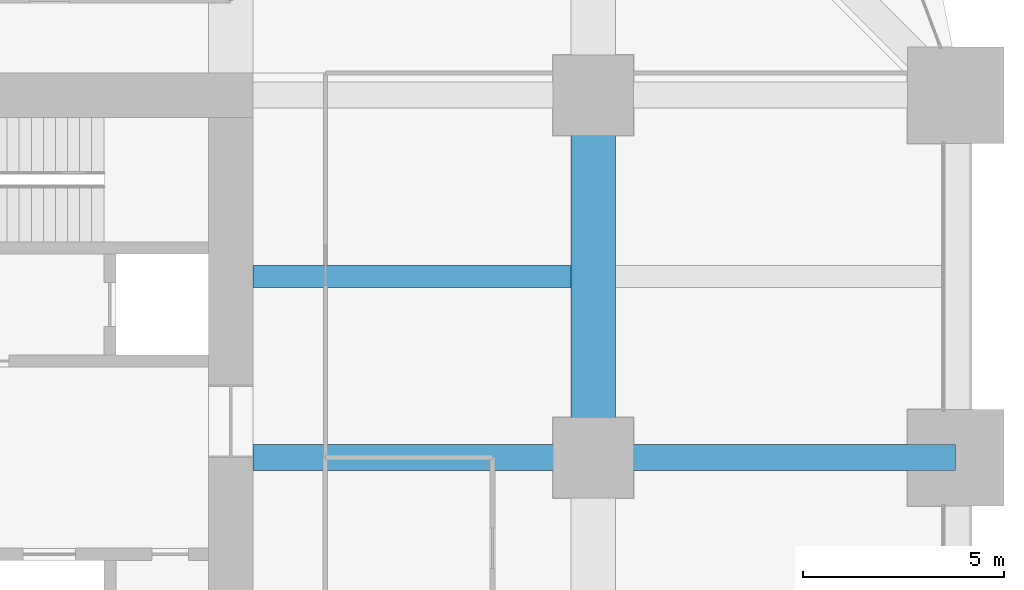
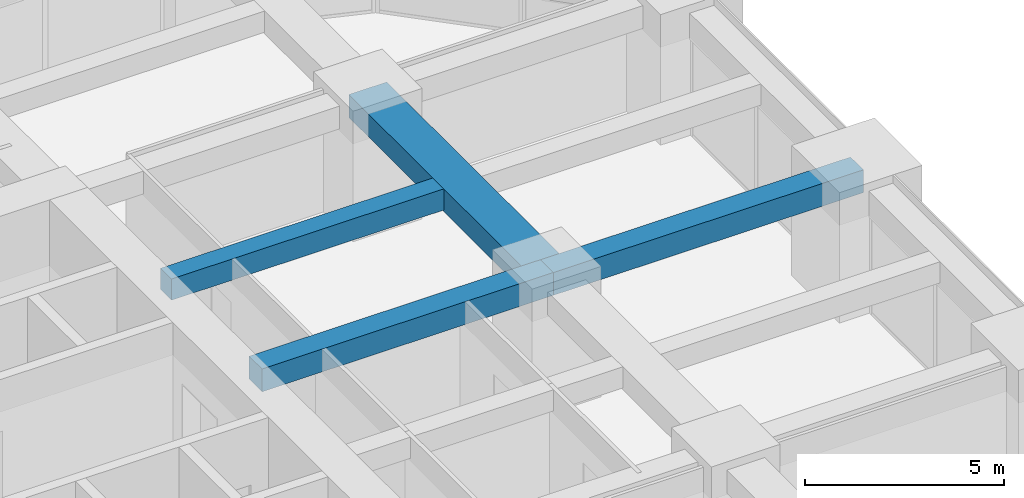
# One storey, part 22 of 39: 4 beams.
"""IFC4 building model written with IfcOpenShell, lengths in metres."""

from ifc_helpers import new_model, si_unit, direction, frame, origin, origin_2d, place, context, subcontext, project, spatial, rectangle, extrude, material, material_profile, profile_set, type_object, element, save


model = new_model("IFC4")

# Units and contexts
model_context = context("Model", 3, precision=1e-05, world=origin(), true_north=direction((0.0, 1.0)))
body_context = subcontext(model_context, "Body", "Model", "MODEL_VIEW")
ifc_project = project(units=[si_unit("LENGTHUNIT", "METRE"), si_unit("AREAUNIT", "SQUARE_METRE"), si_unit("VOLUMEUNIT", "CUBIC_METRE"), si_unit("PLANEANGLEUNIT", "RADIAN"), si_unit("MASSUNIT", "GRAM", prefix="KILO")], contexts=[model_context])

# Site, building, storey
site_placement = place(None, origin())
site = spatial("IfcSite", under=ifc_project, at=site_placement, CompositionType="ELEMENT")
building_placement = place(site_placement, origin())
building = spatial("IfcBuilding", under=site, at=building_placement, Name="Zorevar Civic Tower", CompositionType="ELEMENT")
storey_placement = place(building_placement, frame((0.0, 0.0, 117.0)))
storey = spatial("IfcBuildingStorey", under=building, at=storey_placement, Name="L28", CompositionType="ELEMENT", Elevation=117.0)

# Beams
ifc_material_1 = material(Name="Concrete C50/60", Category="concrete")
ifc_material_profile_1 = material_profile(ifc_material_1, rectangle(XDim=1.10009765625, YDim=0.699951171875, at=origin_2d()), Name="RC 1100x700")
ifc_profile_set_1 = profile_set([ifc_material_profile_1], Name="Concrete C50/60")
beam_type_1 = type_object("IfcBeamType", Name="Beam RC 1100x700", PredefinedType="BEAM", material=ifc_profile_set_1)
beam_1_placement = place(storey_placement, frame((54.0, 27.0, 3.39990234375), z_axis=(0.0, 1.0, 0.0), x_axis=(-1.0, 0.0, 0.0)))
element("IfcBeam", 1, at=beam_1_placement, inside=storey, type_object=beam_type_1, Name="Girder L29", PredefinedType="BEAM", context=body_context, shape_type="SweptSolid", body=[
    extrude(rectangle(XDim=1.10009765625, YDim=0.699951171875, at=origin_2d()), origin(), (0.0, 0.0, 1.0), 9.0),
])
ifc_material_2 = material(Name="Concrete C50/60", Category="concrete")
ifc_material_profile_2 = material_profile(ifc_material_2, rectangle(XDim=0.550048828125, YDim=0.64990234375, at=origin_2d()), Name="RC 550x650")
ifc_profile_set_2 = profile_set([ifc_material_profile_2], Name="Concrete C50/60")
beam_type_2 = type_object("IfcBeamType", Name="Beam RC 550x650", PredefinedType="BEAM", material=ifc_profile_set_2)
beam_2_placement = place(storey_placement, frame((45.550048828125, 31.5, 3.425048828125), z_axis=(1.0, 0.0, 0.0), x_axis=(0.0, 1.0, 0.0)))
element("IfcBeam", 2, at=beam_2_placement, inside=storey, type_object=beam_type_2, Name="Secondary beam L29", PredefinedType="BEAM", context=body_context, shape_type="SweptSolid", body=[
    extrude(rectangle(XDim=0.550048828125, YDim=0.64990234375, at=origin_2d()), origin(), (0.0, 0.0, 1.0), 7.89990234375),
])
ifc_material_3 = material(Name="Concrete C50/60", Category="concrete")
ifc_material_profile_3 = material_profile(ifc_material_3, rectangle(XDim=0.64990234375, YDim=0.699951171875, at=origin_2d()), Name="RC 650x700")
ifc_profile_set_3 = profile_set([ifc_material_profile_3], Name="Concrete C50/60")
beam_type_3 = type_object("IfcBeamType", Name="Beam RC 650x700", PredefinedType="BEAM", material=ifc_profile_set_3)
beam_3_placement = place(storey_placement, frame((45.550048828125, 27.0, 3.39990234375), z_axis=(1.0, 0.0, 0.0), x_axis=(0.0, 1.0, 0.0)))
element("IfcBeam", 3, at=beam_3_placement, inside=storey, type_object=beam_type_3, Name="Girder L29", PredefinedType="BEAM", context=body_context, shape_type="SweptSolid", body=[
    extrude(rectangle(XDim=0.64990234375, YDim=0.699951171875, at=origin_2d()), origin(), (0.0, 0.0, 1.0), 8.449951171875),
])
beam_4_placement = place(storey_placement, frame((54.0, 27.0, 3.39990234375), z_axis=(1.0, 0.0, 0.0), x_axis=(0.0, 1.0, 0.0)))
element("IfcBeam", 4, at=beam_4_placement, inside=storey, type_object=beam_type_3, Name="Girder L29", PredefinedType="BEAM", context=body_context, shape_type="SweptSolid", body=[
    extrude(rectangle(XDim=0.64990234375, YDim=0.699951171875, at=origin_2d()), origin(), (0.0, 0.0, 1.0), 9.0),
])

save(model, "model.ifc")
